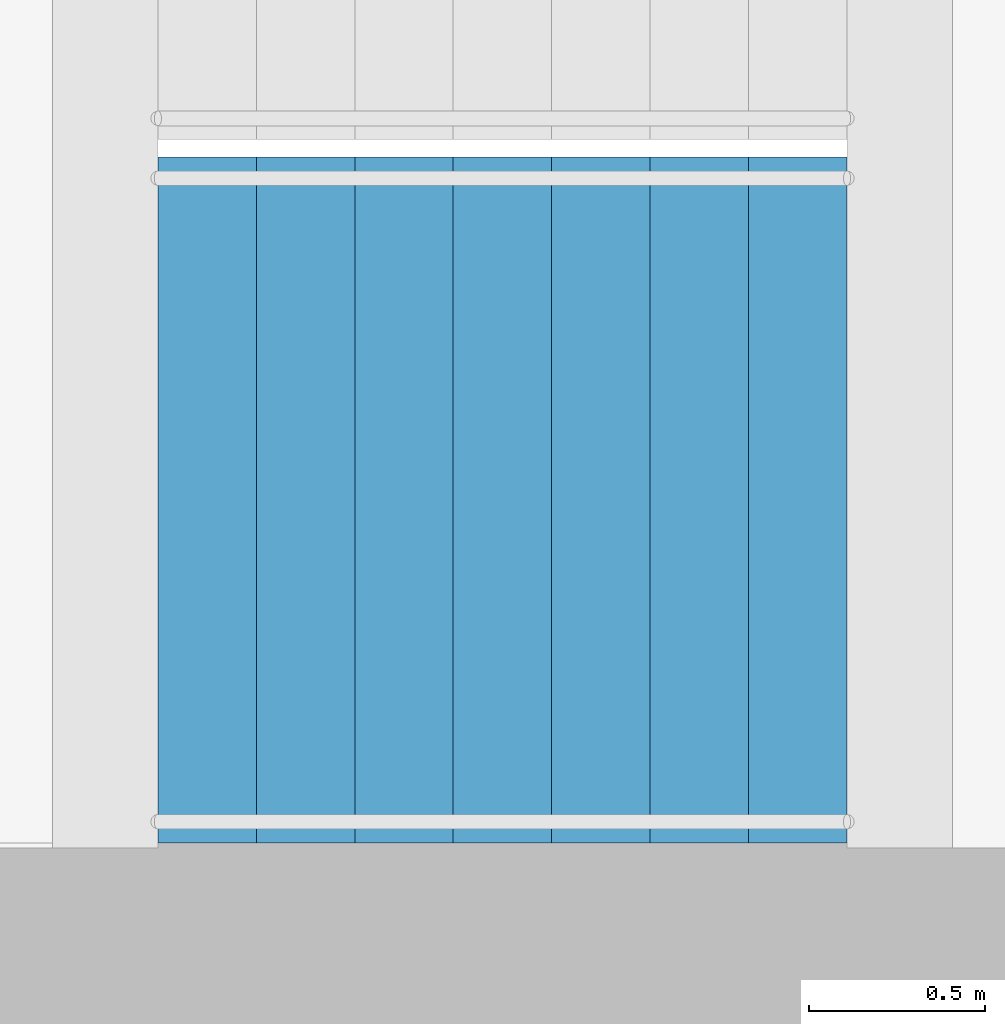
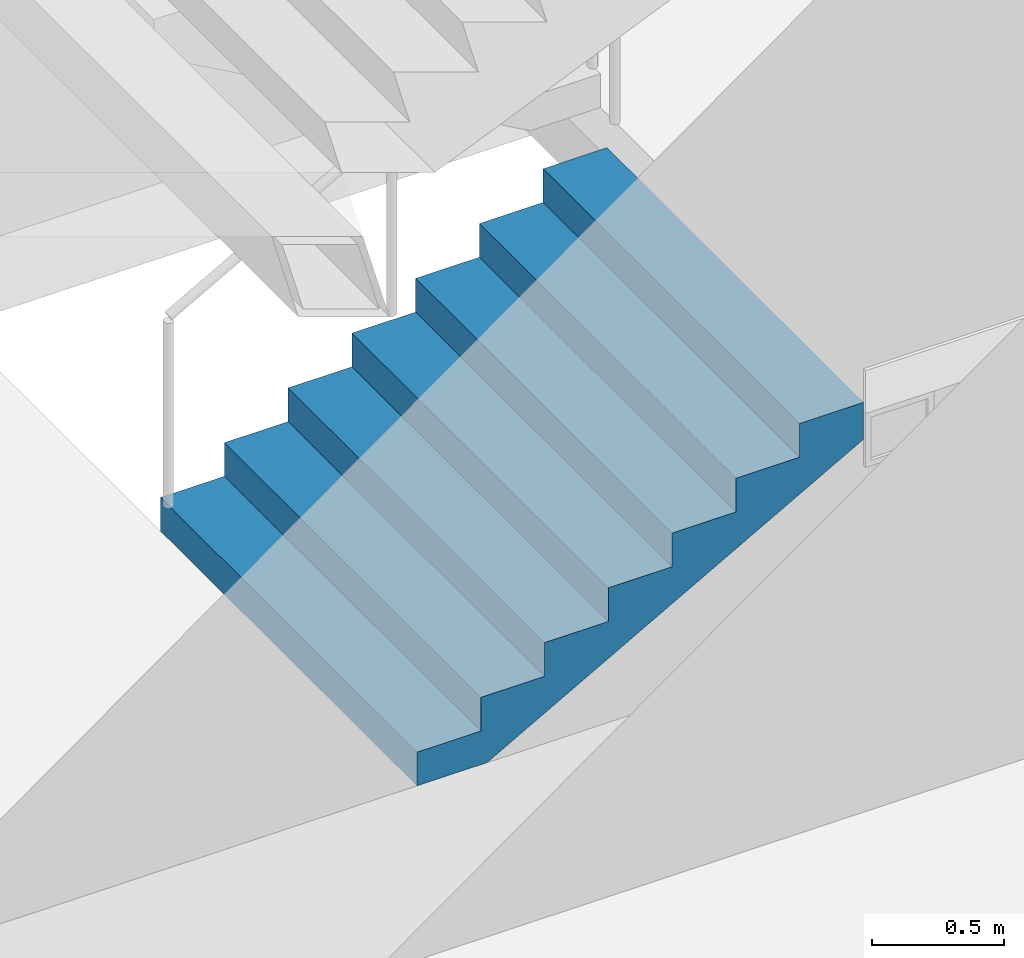
# One storey, part 18 of 26: 1 stair flight, 1 element without a shape of its own.
"""IFC4 building model written with IfcOpenShell, lengths in metres."""

from ifc_helpers import new_model, si_unit, direction, frame, origin, place, context, subcontext, project, spatial, triangles, material, type_object, element, aggregate, save


model = new_model("IFC4")

# Units and contexts
model_context = context("Model", 3, precision=1e-05, world=origin(), true_north=direction((0.0, 1.0)))
body_context = subcontext(model_context, "Body", "Model", "MODEL_VIEW")
ifc_project = project(units=[si_unit("LENGTHUNIT", "METRE"), si_unit("AREAUNIT", "SQUARE_METRE"), si_unit("VOLUMEUNIT", "CUBIC_METRE"), si_unit("PLANEANGLEUNIT", "RADIAN"), si_unit("MASSUNIT", "GRAM", prefix="KILO")], contexts=[model_context])

# Site, building, storey
site_placement = place(None, origin())
site = spatial("IfcSite", under=ifc_project, at=site_placement, CompositionType="ELEMENT")
building_placement = place(site_placement, origin())
building = spatial("IfcBuilding", under=site, at=building_placement, Name="Orbita Commons", CompositionType="ELEMENT")
storey_placement = place(building_placement, frame((0.0, 0.0, 11.0)))
storey = spatial("IfcBuildingStorey", under=building, at=storey_placement, Name="L02", CompositionType="ELEMENT", Elevation=11.0)

# Stair, stair flight
ifc_material_1 = material(Name="Precast concrete C40/50", Category="concrete")
stair_type = type_object("IfcStairType", Name="Exit stair S1 4 flights 8 risers 156", PredefinedType="HALF_TURN_STAIR", material=ifc_material_1)
stair_placement = place(storey_placement, origin())
stair = element("IfcStair", 1, at=stair_placement, inside=storey, type_object=stair_type, Name="Exit stair S1 L02", PredefinedType="HALF_TURN_STAIR")
ifc_material_2 = material(Name="Precast concrete C40/50", Category="concrete")
stair_flight_type = type_object("IfcStairFlightType", Name="Stair flight 8 risers 156 x 280", PredefinedType="STRAIGHT", material=ifc_material_2)
stair_flight_placement = place(storey_placement, frame((20.449951171875, 27.27490234375, 0.0), z_axis=(0.0, 0.0, 1.0), x_axis=(1.0, 0.0, 0.0)))
stair_flight = element("IfcStairFlight", 2, at=stair_flight_placement, type_object=stair_flight_type, Name="S1 flight 1", NumberOfRisers=8, NumberOfTreads=7, PredefinedType="STRAIGHT", RiserHeight=0.15625, TreadLength=0.28, context=body_context, shape_type="Tessellation", body=[
    triangles([(0.0, 0.974976, 0.0), (0.0, 0.974976, 0.019531), (0.0, 0.81248, 0.019531), (0.0, 0.81248, 0.0), (0.0, 0.649984, 0.019531), (0.0, 0.649984, 0.0), (0.0, 0.487488, 0.019531), (0.0, 0.487488, 0.0), (0.0, 0.324992, 0.019531), (0.0, 0.324992, 0.0), (0.0, 0.162496, 0.019531), (0.0, 0.162496, 0.0), (0.0, 0.0, 0.019531), (0.0, 0.0, 0.0), (0.0, -0.162496, 0.019531), (0.0, -0.162496, 0.0), (0.0, -0.324992, 0.019531), (0.0, -0.324992, 0.0), (0.0, -0.487488, 0.019531), (0.0, -0.487488, 0.0), (0.0, -0.649984, 0.019531), (0.0, -0.649984, 0.0), (0.0, -0.81248, 0.019531), (0.0, -0.81248, 0.0), (0.0, -0.974976, 0.019531), (0.0, -0.974976, 0.0), (0.0, 0.974976, 0.039062), (0.0, 0.81248, 0.039062), (0.0, 0.649984, 0.039062), (0.0, 0.487488, 0.039062), (0.0, 0.324992, 0.039062), (0.0, 0.162496, 0.039062), (0.0, 0.0, 0.039062), (0.0, -0.162496, 0.039062), (0.0, -0.324992, 0.039062), (0.0, -0.487488, 0.039062), (0.0, -0.649984, 0.039062), (0.0, -0.81248, 0.039062), (0.0, -0.974976, 0.039062), (0.0, 0.974976, 0.058594), (0.0, 0.81248, 0.058594), (0.0, 0.649984, 0.058594), (0.0, 0.487488, 0.058594), (0.0, 0.324992, 0.058594), (0.0, 0.162496, 0.058594), (0.0, 0.0, 0.058594), (0.0, -0.162496, 0.058594), (0.0, -0.324992, 0.058594), (0.0, -0.487488, 0.058594), (0.0, -0.649984, 0.058594), (0.0, -0.81248, 0.058594), (0.0, -0.974976, 0.058594), (0.0, 0.974976, 0.078125), (0.0, 0.81248, 0.078125), (0.0, 0.649984, 0.078125), (0.0, 0.487488, 0.078125), (0.0, 0.324992, 0.078125), (0.0, 0.162496, 0.078125), (0.0, 0.0, 0.078125), (0.0, -0.162496, 0.078125), (0.0, -0.324992, 0.078125), (0.0, -0.487488, 0.078125), (0.0, -0.649984, 0.078125), (0.0, -0.81248, 0.078125), (0.0, -0.974976, 0.078125), (0.0, 0.974976, 0.097656), (0.0, 0.81248, 0.097656), (0.0, 0.649984, 0.097656), (0.0, 0.487488, 0.097656), (0.0, 0.324992, 0.097656), (0.0, 0.162496, 0.097656), (0.0, 0.0, 0.097656), (0.0, -0.162496, 0.097656), (0.0, -0.324992, 0.097656), (0.0, -0.487488, 0.097656), (0.0, -0.649984, 0.097656), (0.0, -0.81248, 0.097656), (0.0, -0.974976, 0.097656), (0.0, 0.974976, 0.117188), (0.0, 0.81248, 0.117188), (0.0, 0.649984, 0.117188), (0.0, 0.487488, 0.117188), (0.0, 0.324992, 0.117188), (0.0, 0.162496, 0.117188), (0.0, 0.0, 0.117188), (0.0, -0.162496, 0.117188), (0.0, -0.324992, 0.117188), (0.0, -0.487488, 0.117188), (0.0, -0.649984, 0.117188), (0.0, -0.81248, 0.117188), (0.0, -0.974976, 0.117188), (0.0, 0.974976, 0.136719), (0.0, 0.81248, 0.136719), (0.0, 0.649984, 0.136719), (0.0, 0.487488, 0.136719), (0.0, 0.324992, 0.136719), (0.0, 0.162496, 0.136719), (0.0, 0.0, 0.136719), (0.0, -0.162496, 0.136719), (0.0, -0.324992, 0.136719), (0.0, -0.487488, 0.136719), (0.0, -0.649984, 0.136719), (0.0, -0.81248, 0.136719), (0.0, -0.974976, 0.136719), (0.0, 0.974976, 0.15625), (0.0, 0.81248, 0.15625), (0.0, 0.649984, 0.15625), (0.0, 0.487488, 0.15625), (0.0, 0.324992, 0.15625), (0.0, 0.162496, 0.15625), (0.0, 0.0, 0.15625), (0.0, -0.162496, 0.15625), (0.0, -0.324992, 0.15625), (0.0, -0.487488, 0.15625), (0.0, -0.649984, 0.15625), (0.0, -0.81248, 0.15625), (0.0, -0.974976, 0.15625), (0.28, 0.974976, 0.15625), (0.28, 0.81248, 0.15625), (0.28, 0.649984, 0.15625), (0.28, 0.487488, 0.15625), (0.28, 0.324992, 0.15625), (0.28, 0.162496, 0.15625), (0.28, 0.0, 0.15625), (0.28, -0.162496, 0.15625), (0.28, -0.324992, 0.15625), (0.28, -0.487488, 0.15625), (0.28, -0.649984, 0.15625), (0.28, -0.81248, 0.15625), (0.28, -0.974976, 0.15625), (0.28, 0.974976, 0.3125), (0.28, 0.81248, 0.3125), (0.28, 0.649984, 0.3125), (0.28, 0.487488, 0.3125), (0.28, 0.324992, 0.3125), (0.28, 0.162496, 0.3125), (0.28, 0.0, 0.3125), (0.28, -0.162496, 0.3125), (0.28, -0.324992, 0.3125), (0.28, -0.487488, 0.3125), (0.28, -0.649984, 0.3125), (0.28, -0.81248, 0.3125), (0.28, -0.974976, 0.3125), (0.56, 0.974976, 0.3125), (0.56, 0.81248, 0.3125), (0.56, 0.649984, 0.3125), (0.56, 0.487488, 0.3125), (0.56, 0.324992, 0.3125), (0.56, 0.162496, 0.3125), (0.56, 0.0, 0.3125), (0.56, -0.162496, 0.3125), (0.56, -0.324992, 0.3125), (0.56, -0.487488, 0.3125), (0.56, -0.649984, 0.3125), (0.56, -0.81248, 0.3125), (0.56, -0.974976, 0.3125), (0.56, 0.974976, 0.46875), (0.56, 0.81248, 0.46875), (0.56, 0.649984, 0.46875), (0.56, 0.487488, 0.46875), (0.56, 0.324992, 0.46875), (0.56, 0.162496, 0.46875), (0.56, 0.0, 0.46875), (0.56, -0.162496, 0.46875), (0.56, -0.324992, 0.46875), (0.56, -0.487488, 0.46875), (0.56, -0.649984, 0.46875), (0.56, -0.81248, 0.46875), (0.56, -0.974976, 0.46875), (0.84, 0.974976, 0.46875), (0.84, 0.81248, 0.46875), (0.84, 0.649984, 0.46875), (0.84, 0.487488, 0.46875), (0.84, 0.324992, 0.46875), (0.84, 0.162496, 0.46875), (0.84, 0.0, 0.46875), (0.84, -0.162496, 0.46875), (0.84, -0.324992, 0.46875), (0.84, -0.487488, 0.46875), (0.84, -0.649984, 0.46875), (0.84, -0.81248, 0.46875), (0.84, -0.974976, 0.46875), (0.84, 0.974976, 0.625), (0.84, 0.81248, 0.625), (0.84, 0.649984, 0.625), (0.84, 0.487488, 0.625), (0.84, 0.324992, 0.625), (0.84, 0.162496, 0.625), (0.84, 0.0, 0.625), (0.84, -0.162496, 0.625), (0.84, -0.324992, 0.625), (0.84, -0.487488, 0.625), (0.84, -0.649984, 0.625), (0.84, -0.81248, 0.625), (0.84, -0.974976, 0.625), (1.12, 0.974976, 0.625), (1.12, 0.81248, 0.625), (1.12, 0.649984, 0.625), (1.12, 0.487488, 0.625), (1.12, 0.324992, 0.625), (1.12, 0.162496, 0.625), (1.12, 0.0, 0.625), (1.12, -0.162496, 0.625), (1.12, -0.324992, 0.625), (1.12, -0.487488, 0.625), (1.12, -0.649984, 0.625), (1.12, -0.81248, 0.625), (1.12, -0.974976, 0.625), (1.12, 0.974976, 0.78125), (1.12, 0.81248, 0.78125), (1.12, 0.649984, 0.78125), (1.12, 0.487488, 0.78125), (1.12, 0.324992, 0.78125), (1.12, 0.162496, 0.78125), (1.12, 0.0, 0.78125), (1.12, -0.162496, 0.78125), (1.12, -0.324992, 0.78125), (1.12, -0.487488, 0.78125), (1.12, -0.649984, 0.78125), (1.12, -0.81248, 0.78125), (1.12, -0.974976, 0.78125), (1.4, 0.974976, 0.78125), (1.4, 0.81248, 0.78125), (1.4, 0.649984, 0.78125), (1.4, 0.487488, 0.78125), (1.4, 0.324992, 0.78125), (1.4, 0.162496, 0.78125), (1.4, 0.0, 0.78125), (1.4, -0.162496, 0.78125), (1.4, -0.324992, 0.78125), (1.4, -0.487488, 0.78125), (1.4, -0.649984, 0.78125), (1.4, -0.81248, 0.78125), (1.4, -0.974976, 0.78125), (1.4, 0.974976, 0.9375), (1.4, 0.81248, 0.9375), (1.4, 0.649984, 0.9375), (1.4, 0.487488, 0.9375), (1.4, 0.324992, 0.9375), (1.4, 0.162496, 0.9375), (1.4, 0.0, 0.9375), (1.4, -0.162496, 0.9375), (1.4, -0.324992, 0.9375), (1.4, -0.487488, 0.9375), (1.4, -0.649984, 0.9375), (1.4, -0.81248, 0.9375), (1.4, -0.974976, 0.9375), (1.68, 0.974976, 0.9375), (1.68, 0.81248, 0.9375), (1.68, 0.649984, 0.9375), (1.68, 0.487488, 0.9375), (1.68, 0.324992, 0.9375), (1.68, 0.162496, 0.9375), (1.68, 0.0, 0.9375), (1.68, -0.162496, 0.9375), (1.68, -0.324992, 0.9375), (1.68, -0.487488, 0.9375), (1.68, -0.649984, 0.9375), (1.68, -0.81248, 0.9375), (1.68, -0.974976, 0.9375), (1.68, 0.974976, 1.09375), (1.68, 0.81248, 1.09375), (1.68, 0.649984, 1.09375), (1.68, 0.487488, 1.09375), (1.68, 0.324992, 1.09375), (1.68, 0.162496, 1.09375), (1.68, 0.0, 1.09375), (1.68, -0.162496, 1.09375), (1.68, -0.324992, 1.09375), (1.68, -0.487488, 1.09375), (1.68, -0.649984, 1.09375), (1.68, -0.81248, 1.09375), (1.68, -0.974976, 1.09375), (1.96, 0.974976, 1.09375), (1.96, 0.81248, 1.09375), (1.96, 0.649984, 1.09375), (1.96, 0.487488, 1.09375), (1.96, 0.324992, 1.09375), (1.96, 0.162496, 1.09375), (1.96, 0.0, 1.09375), (1.96, -0.162496, 1.09375), (1.96, -0.324992, 1.09375), (1.96, -0.487488, 1.09375), (1.96, -0.649984, 1.09375), (1.96, -0.81248, 1.09375), (1.96, -0.974976, 1.09375), (1.96, 0.974976, 1.072292), (1.96, 0.81248, 1.072292), (1.96, 0.649984, 1.072292), (1.96, 0.487488, 1.072292), (1.96, 0.324992, 1.072292), (1.96, 0.162496, 1.072292), (1.96, 0.0, 1.072292), (1.96, -0.162496, 1.072292), (1.96, -0.324992, 1.072292), (1.96, -0.487488, 1.072292), (1.96, -0.649984, 1.072292), (1.96, -0.81248, 1.072292), (1.96, -0.974976, 1.072292), (1.96, 0.974976, 1.050834), (1.96, 0.81248, 1.050834), (1.96, 0.649984, 1.050834), (1.96, 0.487488, 1.050834), (1.96, 0.324992, 1.050834), (1.96, 0.162496, 1.050834), (1.96, 0.0, 1.050834), (1.96, -0.162496, 1.050834), (1.96, -0.324992, 1.050834), (1.96, -0.487488, 1.050834), (1.96, -0.649984, 1.050834), (1.96, -0.81248, 1.050834), (1.96, -0.974976, 1.050834), (1.96, 0.974976, 1.029376), (1.96, 0.81248, 1.029376), (1.96, 0.649984, 1.029376), (1.96, 0.487488, 1.029376), (1.96, 0.324992, 1.029376), (1.96, 0.162496, 1.029376), (1.96, 0.0, 1.029376), (1.96, -0.162496, 1.029376), (1.96, -0.324992, 1.029376), (1.96, -0.487488, 1.029376), (1.96, -0.649984, 1.029376), (1.96, -0.81248, 1.029376), (1.96, -0.974976, 1.029376), (1.96, 0.974976, 1.007919), (1.96, 0.81248, 1.007919), (1.96, 0.649984, 1.007919), (1.96, 0.487488, 1.007919), (1.96, 0.324992, 1.007919), (1.96, 0.162496, 1.007919), (1.96, 0.0, 1.007919), (1.96, -0.162496, 1.007919), (1.96, -0.324992, 1.007919), (1.96, -0.487488, 1.007919), (1.96, -0.649984, 1.007919), (1.96, -0.81248, 1.007919), (1.96, -0.974976, 1.007919), (1.96, 0.974976, 0.986461), (1.96, 0.81248, 0.986461), (1.96, 0.649984, 0.986461), (1.96, 0.487488, 0.986461), (1.96, 0.324992, 0.986461), (1.96, 0.162496, 0.986461), (1.96, 0.0, 0.986461), (1.96, -0.162496, 0.986461), (1.96, -0.324992, 0.986461), (1.96, -0.487488, 0.986461), (1.96, -0.649984, 0.986461), (1.96, -0.81248, 0.986461), (1.96, -0.974976, 0.986461), (1.96, 0.974976, 0.965003), (1.96, 0.81248, 0.965003), (1.96, 0.649984, 0.965003), (1.96, 0.487488, 0.965003), (1.96, 0.324992, 0.965003), (1.96, 0.162496, 0.965003), (1.96, 0.0, 0.965003), (1.96, -0.162496, 0.965003), (1.96, -0.324992, 0.965003), (1.96, -0.487488, 0.965003), (1.96, -0.649984, 0.965003), (1.96, -0.81248, 0.965003), (1.96, -0.974976, 0.965003), (1.96, 0.974976, 0.943545), (1.96, 0.81248, 0.943545), (1.96, 0.649984, 0.943545), (1.96, 0.487488, 0.943545), (1.96, 0.324992, 0.943545), (1.96, 0.162496, 0.943545), (1.96, 0.0, 0.943545), (1.96, -0.162496, 0.943545), (1.96, -0.324992, 0.943545), (1.96, -0.487488, 0.943545), (1.96, -0.649984, 0.943545), (1.96, -0.81248, 0.943545), (1.96, -0.974976, 0.943545), (1.96, 0.974976, 0.922087), (1.96, 0.81248, 0.922087), (1.96, 0.649984, 0.922087), (1.96, 0.487488, 0.922087), (1.96, 0.324992, 0.922087), (1.96, 0.162496, 0.922087), (1.96, 0.0, 0.922087), (1.96, -0.162496, 0.922087), (1.96, -0.324992, 0.922087), (1.96, -0.487488, 0.922087), (1.96, -0.649984, 0.922087), (1.96, -0.81248, 0.922087), (1.96, -0.974976, 0.922087), (0.30762, 0.974976, 0.0), (0.30762, 0.81248, 0.0), (0.30762, 0.649984, 0.0), (0.30762, 0.487488, 0.0), (0.30762, 0.324992, 0.0), (0.30762, 0.162496, 0.0), (0.30762, 0.0, 0.0), (0.30762, -0.162496, 0.0), (0.30762, -0.324992, 0.0), (0.30762, -0.487488, 0.0), (0.30762, -0.649984, 0.0), (0.30762, -0.81248, 0.0), (0.30762, -0.974976, 0.0)], [[3, 2, 1], [4, 3, 1], [5, 3, 4], [6, 5, 4], [7, 5, 6], [8, 7, 6], [9, 7, 8], [10, 9, 8], [11, 9, 10], [12, 11, 10], [13, 11, 12], [14, 13, 12], [15, 13, 14], [16, 15, 14], [17, 15, 16], [18, 17, 16], [19, 17, 18], [20, 19, 18], [21, 19, 20], [22, 21, 20], [23, 21, 22], [24, 23, 22], [25, 23, 24], [26, 25, 24], [28, 27, 2], [3, 28, 2], [29, 28, 3], [5, 29, 3], [30, 29, 5], [7, 30, 5], [31, 30, 7], [9, 31, 7], [32, 31, 9], [11, 32, 9], [33, 32, 11], [13, 33, 11], [34, 33, 13], [15, 34, 13], [35, 34, 15], [17, 35, 15], [36, 35, 17], [19, 36, 17], [37, 36, 19], [21, 37, 19], [38, 37, 21], [23, 38, 21], [39, 38, 23], [25, 39, 23], [41, 40, 27], [28, 41, 27], [42, 41, 28], [29, 42, 28], [43, 42, 29], [30, 43, 29], [44, 43, 30], [31, 44, 30], [45, 44, 31], [32, 45, 31], [46, 45, 32], [33, 46, 32], [47, 46, 33], [34, 47, 33], [48, 47, 34], [35, 48, 34], [49, 48, 35], [36, 49, 35], [50, 49, 36], [37, 50, 36], [51, 50, 37], [38, 51, 37], [52, 51, 38], [39, 52, 38], [54, 53, 40], [41, 54, 40], [55, 54, 41], [42, 55, 41], [56, 55, 42], [43, 56, 42], [57, 56, 43], [44, 57, 43], [58, 57, 44], [45, 58, 44], [59, 58, 45], [46, 59, 45], [60, 59, 46], [47, 60, 46], [61, 60, 47], [48, 61, 47], [62, 61, 48], [49, 62, 48], [63, 62, 49], [50, 63, 49], [64, 63, 50], [51, 64, 50], [65, 64, 51], [52, 65, 51], [67, 66, 53], [54, 67, 53], [68, 67, 54], [55, 68, 54], [69, 68, 55], [56, 69, 55], [70, 69, 56], [57, 70, 56], [71, 70, 57], [58, 71, 57], [72, 71, 58], [59, 72, 58], [73, 72, 59], [60, 73, 59], [74, 73, 60], [61, 74, 60], [75, 74, 61], [62, 75, 61], [76, 75, 62], [63, 76, 62], [77, 76, 63], [64, 77, 63], [78, 77, 64], [65, 78, 64], [80, 79, 66], [67, 80, 66], [81, 80, 67], [68, 81, 67], [82, 81, 68], [69, 82, 68], [83, 82, 69], [70, 83, 69], [84, 83, 70], [71, 84, 70], [85, 84, 71], [72, 85, 71], [86, 85, 72], [73, 86, 72], [87, 86, 73], [74, 87, 73], [88, 87, 74], [75, 88, 74], [89, 88, 75], [76, 89, 75], [90, 89, 76], [77, 90, 76], [91, 90, 77], [78, 91, 77], [93, 92, 79], [80, 93, 79], [94, 93, 80], [81, 94, 80], [95, 94, 81], [82, 95, 81], [96, 95, 82], [83, 96, 82], [97, 96, 83], [84, 97, 83], [98, 97, 84], [85, 98, 84], [99, 98, 85], [86, 99, 85], [100, 99, 86], [87, 100, 86], [101, 100, 87], [88, 101, 87], [102, 101, 88], [89, 102, 88], [103, 102, 89], [90, 103, 89], [104, 103, 90], [91, 104, 90], [106, 105, 92], [93, 106, 92], [107, 106, 93], [94, 107, 93], [108, 107, 94], [95, 108, 94], [109, 108, 95], [96, 109, 95], [110, 109, 96], [97, 110, 96], [111, 110, 97], [98, 111, 97], [112, 111, 98], [99, 112, 98], [113, 112, 99], [100, 113, 99], [114, 113, 100], [101, 114, 100], [115, 114, 101], [102, 115, 101], [116, 115, 102], [103, 116, 102], [117, 116, 103], [104, 117, 103], [119, 118, 105], [106, 119, 105], [120, 119, 106], [107, 120, 106], [121, 120, 107], [108, 121, 107], [122, 121, 108], [109, 122, 108], [123, 122, 109], [110, 123, 109], [124, 123, 110], [111, 124, 110], [125, 124, 111], [112, 125, 111], [126, 125, 112], [113, 126, 112], [127, 126, 113], [114, 127, 113], [128, 127, 114], [115, 128, 114], [129, 128, 115], [116, 129, 115], [130, 129, 116], [117, 130, 116], [132, 131, 118], [119, 132, 118], [133, 132, 119], [120, 133, 119], [134, 133, 120], [121, 134, 120], [135, 134, 121], [122, 135, 121], [136, 135, 122], [123, 136, 122], [137, 136, 123], [124, 137, 123], [138, 137, 124], [125, 138, 124], [139, 138, 125], [126, 139, 125], [140, 139, 126], [127, 140, 126], [141, 140, 127], [128, 141, 127], [142, 141, 128], [129, 142, 128], [143, 142, 129], [130, 143, 129], [145, 144, 131], [132, 145, 131], [146, 145, 132], [133, 146, 132], [147, 146, 133], [134, 147, 133], [148, 147, 134], [135, 148, 134], [149, 148, 135], [136, 149, 135], [150, 149, 136], [137, 150, 136], [151, 150, 137], [138, 151, 137], [152, 151, 138], [139, 152, 138], [153, 152, 139], [140, 153, 139], [154, 153, 140], [141, 154, 140], [155, 154, 141], [142, 155, 141], [156, 155, 142], [143, 156, 142], [158, 157, 144], [145, 158, 144], [159, 158, 145], [146, 159, 145], [160, 159, 146], [147, 160, 146], [161, 160, 147], [148, 161, 147], [162, 161, 148], [149, 162, 148], [163, 162, 149], [150, 163, 149], [164, 163, 150], [151, 164, 150], [165, 164, 151], [152, 165, 151], [166, 165, 152], [153, 166, 152], [167, 166, 153], [154, 167, 153], [168, 167, 154], [155, 168, 154], [169, 168, 155], [156, 169, 155], [171, 170, 157], [158, 171, 157], [172, 171, 158], [159, 172, 158], [173, 172, 159], [160, 173, 159], [174, 173, 160], [161, 174, 160], [175, 174, 161], [162, 175, 161], [176, 175, 162], [163, 176, 162], [177, 176, 163], [164, 177, 163], [178, 177, 164], [165, 178, 164], [179, 178, 165], [166, 179, 165], [180, 179, 166], [167, 180, 166], [181, 180, 167], [168, 181, 167], [182, 181, 168], [169, 182, 168], [184, 183, 170], [171, 184, 170], [185, 184, 171], [172, 185, 171], [186, 185, 172], [173, 186, 172], [187, 186, 173], [174, 187, 173], [188, 187, 174], [175, 188, 174], [189, 188, 175], [176, 189, 175], [190, 189, 176], [177, 190, 176], [191, 190, 177], [178, 191, 177], [192, 191, 178], [179, 192, 178], [193, 192, 179], [180, 193, 179], [194, 193, 180], [181, 194, 180], [195, 194, 181], [182, 195, 181], [197, 196, 183], [184, 197, 183], [198, 197, 184], [185, 198, 184], [199, 198, 185], [186, 199, 185], [200, 199, 186], [187, 200, 186], [201, 200, 187], [188, 201, 187], [202, 201, 188], [189, 202, 188], [203, 202, 189], [190, 203, 189], [204, 203, 190], [191, 204, 190], [205, 204, 191], [192, 205, 191], [206, 205, 192], [193, 206, 192], [207, 206, 193], [194, 207, 193], [208, 207, 194], [195, 208, 194], [210, 209, 196], [197, 210, 196], [211, 210, 197], [198, 211, 197], [212, 211, 198], [199, 212, 198], [213, 212, 199], [200, 213, 199], [214, 213, 200], [201, 214, 200], [215, 214, 201], [202, 215, 201], [216, 215, 202], [203, 216, 202], [217, 216, 203], [204, 217, 203], [218, 217, 204], [205, 218, 204], [219, 218, 205], [206, 219, 205], [220, 219, 206], [207, 220, 206], [221, 220, 207], [208, 221, 207], [223, 222, 209], [210, 223, 209], [224, 223, 210], [211, 224, 210], [225, 224, 211], [212, 225, 211], [226, 225, 212], [213, 226, 212], [227, 226, 213], [214, 227, 213], [228, 227, 214], [215, 228, 214], [229, 228, 215], [216, 229, 215], [230, 229, 216], [217, 230, 216], [231, 230, 217], [218, 231, 217], [232, 231, 218], [219, 232, 218], [233, 232, 219], [220, 233, 219], [234, 233, 220], [221, 234, 220], [236, 235, 222], [223, 236, 222], [237, 236, 223], [224, 237, 223], [238, 237, 224], [225, 238, 224], [239, 238, 225], [226, 239, 225], [240, 239, 226], [227, 240, 226], [241, 240, 227], [228, 241, 227], [242, 241, 228], [229, 242, 228], [243, 242, 229], [230, 243, 229], [244, 243, 230], [231, 244, 230], [245, 244, 231], [232, 245, 231], [246, 245, 232], [233, 246, 232], [247, 246, 233], [234, 247, 233], [249, 248, 235], [236, 249, 235], [250, 249, 236], [237, 250, 236], [251, 250, 237], [238, 251, 237], [252, 251, 238], [239, 252, 238], [253, 252, 239], [240, 253, 239], [254, 253, 240], [241, 254, 240], [255, 254, 241], [242, 255, 241], [256, 255, 242], [243, 256, 242], [257, 256, 243], [244, 257, 243], [258, 257, 244], [245, 258, 244], [259, 258, 245], [246, 259, 245], [260, 259, 246], [247, 260, 246], [262, 261, 248], [249, 262, 248], [263, 262, 249], [250, 263, 249], [264, 263, 250], [251, 264, 250], [265, 264, 251], [252, 265, 251], [266, 265, 252], [253, 266, 252], [267, 266, 253], [254, 267, 253], [268, 267, 254], [255, 268, 254], [269, 268, 255], [256, 269, 255], [270, 269, 256], [257, 270, 256], [271, 270, 257], [258, 271, 257], [272, 271, 258], [259, 272, 258], [273, 272, 259], [260, 273, 259], [275, 274, 261], [262, 275, 261], [276, 275, 262], [263, 276, 262], [277, 276, 263], [264, 277, 263], [278, 277, 264], [265, 278, 264], [279, 278, 265], [266, 279, 265], [280, 279, 266], [267, 280, 266], [281, 280, 267], [268, 281, 267], [282, 281, 268], [269, 282, 268], [283, 282, 269], [270, 283, 269], [284, 283, 270], [271, 284, 270], [285, 284, 271], [272, 285, 271], [286, 285, 272], [273, 286, 272], [288, 287, 274], [275, 288, 274], [289, 288, 275], [276, 289, 275], [290, 289, 276], [277, 290, 276], [291, 290, 277], [278, 291, 277], [292, 291, 278], [279, 292, 278], [293, 292, 279], [280, 293, 279], [294, 293, 280], [281, 294, 280], [295, 294, 281], [282, 295, 281], [296, 295, 282], [283, 296, 282], [297, 296, 283], [284, 297, 283], [298, 297, 284], [285, 298, 284], [299, 298, 285], [286, 299, 285], [301, 300, 287], [288, 301, 287], [302, 301, 288], [289, 302, 288], [303, 302, 289], [290, 303, 289], [304, 303, 290], [291, 304, 290], [305, 304, 291], [292, 305, 291], [306, 305, 292], [293, 306, 292], [307, 306, 293], [294, 307, 293], [308, 307, 294], [295, 308, 294], [309, 308, 295], [296, 309, 295], [310, 309, 296], [297, 310, 296], [311, 310, 297], [298, 311, 297], [312, 311, 298], [299, 312, 298], [314, 313, 300], [301, 314, 300], [315, 314, 301], [302, 315, 301], [316, 315, 302], [303, 316, 302], [317, 316, 303], [304, 317, 303], [318, 317, 304], [305, 318, 304], [319, 318, 305], [306, 319, 305], [320, 319, 306], [307, 320, 306], [321, 320, 307], [308, 321, 307], [322, 321, 308], [309, 322, 308], [323, 322, 309], [310, 323, 309], [324, 323, 310], [311, 324, 310], [325, 324, 311], [312, 325, 311], [327, 326, 313], [314, 327, 313], [328, 327, 314], [315, 328, 314], [329, 328, 315], [316, 329, 315], [330, 329, 316], [317, 330, 316], [331, 330, 317], [318, 331, 317], [332, 331, 318], [319, 332, 318], [333, 332, 319], [320, 333, 319], [334, 333, 320], [321, 334, 320], [335, 334, 321], [322, 335, 321], [336, 335, 322], [323, 336, 322], [337, 336, 323], [324, 337, 323], [338, 337, 324], [325, 338, 324], [340, 339, 326], [327, 340, 326], [341, 340, 327], [328, 341, 327], [342, 341, 328], [329, 342, 328], [343, 342, 329], [330, 343, 329], [344, 343, 330], [331, 344, 330], [345, 344, 331], [332, 345, 331], [346, 345, 332], [333, 346, 332], [347, 346, 333], [334, 347, 333], [348, 347, 334], [335, 348, 334], [349, 348, 335], [336, 349, 335], [350, 349, 336], [337, 350, 336], [351, 350, 337], [338, 351, 337], [353, 352, 339], [340, 353, 339], [354, 353, 340], [341, 354, 340], [355, 354, 341], [342, 355, 341], [356, 355, 342], [343, 356, 342], [357, 356, 343], [344, 357, 343], [358, 357, 344], [345, 358, 344], [359, 358, 345], [346, 359, 345], [360, 359, 346], [347, 360, 346], [361, 360, 347], [348, 361, 347], [362, 361, 348], [349, 362, 348], [363, 362, 349], [350, 363, 349], [364, 363, 350], [351, 364, 350], [366, 365, 352], [353, 366, 352], [367, 366, 353], [354, 367, 353], [368, 367, 354], [355, 368, 354], [369, 368, 355], [356, 369, 355], [370, 369, 356], [357, 370, 356], [371, 370, 357], [358, 371, 357], [372, 371, 358], [359, 372, 358], [373, 372, 359], [360, 373, 359], [374, 373, 360], [361, 374, 360], [375, 374, 361], [362, 375, 361], [376, 375, 362], [363, 376, 362], [377, 376, 363], [364, 377, 363], [379, 378, 365], [366, 379, 365], [380, 379, 366], [367, 380, 366], [381, 380, 367], [368, 381, 367], [382, 381, 368], [369, 382, 368], [383, 382, 369], [370, 383, 369], [384, 383, 370], [371, 384, 370], [385, 384, 371], [372, 385, 371], [386, 385, 372], [373, 386, 372], [387, 386, 373], [374, 387, 373], [388, 387, 374], [375, 388, 374], [389, 388, 375], [376, 389, 375], [390, 389, 376], [377, 390, 376], [392, 391, 378], [379, 392, 378], [393, 392, 379], [380, 393, 379], [394, 393, 380], [381, 394, 380], [395, 394, 381], [382, 395, 381], [396, 395, 382], [383, 396, 382], [397, 396, 383], [384, 397, 383], [398, 397, 384], [385, 398, 384], [399, 398, 385], [386, 399, 385], [400, 399, 386], [387, 400, 386], [401, 400, 387], [388, 401, 387], [402, 401, 388], [389, 402, 388], [403, 402, 389], [390, 403, 389], [4, 1, 391], [392, 4, 391], [6, 4, 392], [393, 6, 392], [8, 6, 393], [394, 8, 393], [10, 8, 394], [395, 10, 394], [12, 10, 395], [396, 12, 395], [14, 12, 396], [397, 14, 396], [16, 14, 397], [398, 16, 397], [18, 16, 398], [399, 18, 398], [20, 18, 399], [400, 20, 399], [22, 20, 400], [401, 22, 400], [24, 22, 401], [402, 24, 401], [26, 24, 402], [403, 26, 402], [378, 391, 1], [26, 403, 390], [365, 378, 1], [26, 390, 377], [352, 365, 1], [26, 377, 364], [339, 352, 1], [26, 364, 351], [326, 339, 1], [26, 351, 338], [313, 326, 1], [26, 338, 325], [300, 313, 1], [26, 325, 312], [287, 300, 1], [26, 312, 299], [261, 274, 287], [299, 286, 273], [248, 261, 287], [299, 273, 260], [222, 235, 248], [260, 247, 234], [222, 248, 287], [299, 260, 234], [196, 209, 222], [234, 221, 208], [196, 222, 287], [299, 234, 208], [170, 183, 196], [208, 195, 182], [170, 196, 287], [299, 208, 182], [144, 157, 170], [182, 169, 156], [144, 170, 287], [299, 182, 156], [118, 131, 144], [156, 143, 130], [118, 144, 287], [299, 156, 130], [118, 287, 1], [26, 299, 130], [92, 105, 118], [130, 117, 104], [79, 92, 118], [130, 104, 91], [66, 79, 118], [130, 91, 78], [53, 66, 118], [130, 78, 65], [40, 53, 118], [130, 65, 52], [27, 40, 118], [130, 52, 39], [2, 27, 118], [130, 39, 25], [1, 2, 118], [130, 25, 26]], closed=True),
])
aggregate(stair, [stair_flight])

save(model, "model.ifc")
